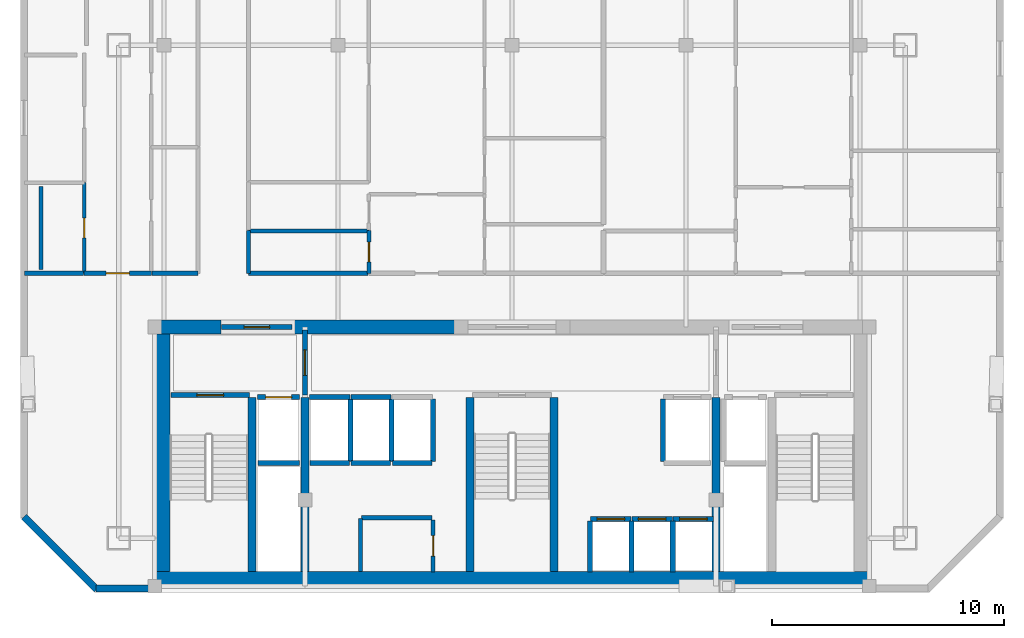
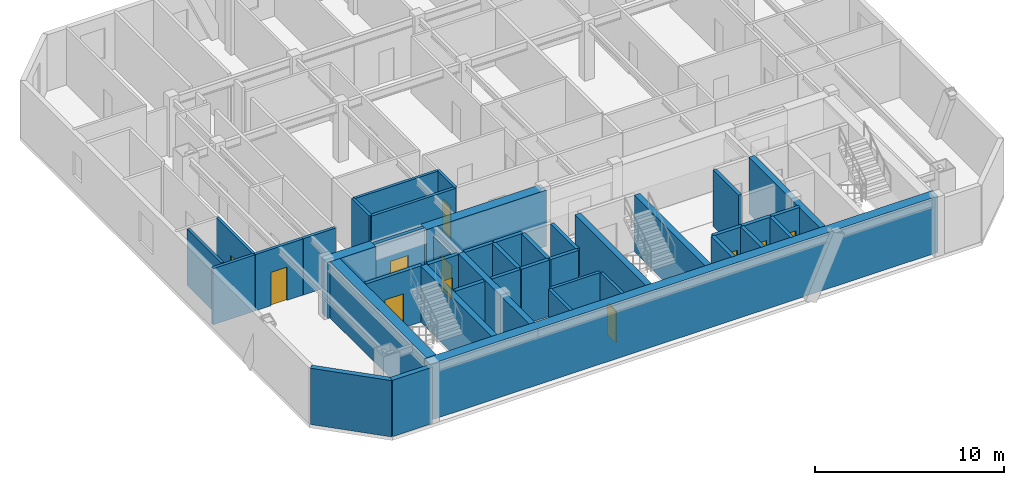
# One storey, part 2 of 7: 43 walls, 11 doors, 11 openings.
"""IFC4 building model written with IfcOpenShell, lengths in metres."""

import ifcopenshell
import ifcopenshell.guid

model = None  # the IFC model being written
_history = None  # IfcOwnerHistory: only IFC2X3 demands one
_inside = {}  # id of a spatial element -> (the spatial element, [elements in it])
_under = {}  # id of a project, library or spatial element -> (it, [spatial elements below it])
_declared = {}  # id of a project -> (the project, [libraries it declares])
_typed = {}  # id of a type object -> (the type object, [elements of that type])
_made_of = {}  # id of a material, layer set ... -> (it, [elements and type objects made of it])


def new_model(schema):
    """Start an empty IFC model of exactly this schema.

    Asked for "IFC4X3", IfcOpenShell would pick the latest addendum, in which some entities
    have other attributes; the version numbers below select the first issue.
    IFC2X3 requires an IfcOwnerHistory on every rooted entity: one is made here for all.
    """
    global model, _history
    if schema == "IFC4X3":
        model = ifcopenshell.file(schema_version=(4, 3, 0, 0))
    else:
        model = ifcopenshell.file(schema=schema)
    _inside.clear()
    _under.clear()
    _declared.clear()
    _typed.clear()
    _made_of.clear()
    _history = None
    if model.schema == "IFC2X3":
        org = make("IfcOrganization", Name="unknown")
        user = make(
            "IfcPersonAndOrganization",
            ThePerson=make("IfcPerson", FamilyName="unknown"),
            TheOrganization=org,
        )
        app = make(
            "IfcApplication",
            ApplicationDeveloper=org,
            Version="unknown",
            ApplicationFullName="unknown",
            ApplicationIdentifier="unknown",
        )
        _history = make(
            "IfcOwnerHistory",
            OwningUser=user,
            OwningApplication=app,
            ChangeAction="ADDED",
            CreationDate=0,
        )
    return model


def make(cls, **values):
    """One entity of the class cls with the attributes given. An attribute that is None is left unset."""
    return model.create_entity(
        cls, **{name: value for name, value in values.items() if value is not None}
    )


def rooted(cls, **values):
    """An entity with a GlobalId (a new one), such as an element, a storey or a relation."""
    return make(cls, GlobalId=ifcopenshell.guid.new(), OwnerHistory=_history, **values)


def si_unit(unit_type, name, prefix=None):
    """IfcSIUnit, for example si_unit("LENGTHUNIT", "METRE", prefix="MILLI")."""
    return make("IfcSIUnit", UnitType=unit_type, Prefix=prefix, Name=name)


def assignment(units):
    """IfcUnitAssignment: the units of a project."""
    return None if units is None else make("IfcUnitAssignment", Units=units)


def point(xyz):
    """IfcCartesianPoint."""
    return None if xyz is None else make("IfcCartesianPoint", Coordinates=xyz)


def direction(xyz):
    """IfcDirection."""
    return None if xyz is None else make("IfcDirection", DirectionRatios=xyz)


def frame(location, z_axis=None, x_axis=None):
    """IfcAxis2Placement3D, a coordinate frame: its origin and axes. An axis left out is left unset."""
    return make(
        "IfcAxis2Placement3D",
        Location=point(location),
        Axis=direction(z_axis),
        RefDirection=direction(x_axis),
    )


def frame_2d(location, x_axis=None):
    """IfcAxis2Placement2D, a coordinate frame in the plane: its origin and x axis."""
    return make(
        "IfcAxis2Placement2D", Location=point(location), RefDirection=direction(x_axis)
    )


def origin():
    """The frame at (0, 0, 0) with its axes left unset."""
    return frame((0.0, 0.0, 0.0))


def place(relative_to, where):
    """IfcLocalPlacement: puts the frame where relative to a parent placement (None: the world)."""
    return make(
        "IfcLocalPlacement", PlacementRelTo=relative_to, RelativePlacement=where
    )


def context(
    kind, dimensions, precision=None, world=None, true_north=None, identifier=None
):
    """IfcGeometricRepresentationContext, for example the 3D "Model" context."""
    return make(
        "IfcGeometricRepresentationContext",
        ContextIdentifier=identifier,
        ContextType=kind,
        CoordinateSpaceDimension=dimensions,
        Precision=precision,
        WorldCoordinateSystem=world,
        TrueNorth=true_north,
    )


def subcontext(parent, identifier, kind, view, scale=None):
    """IfcGeometricRepresentationSubContext, for example "Body" below "Model"."""
    return make(
        "IfcGeometricRepresentationSubContext",
        ContextIdentifier=identifier,
        ContextType=kind,
        ParentContext=parent,
        TargetScale=scale,
        TargetView=view,
    )


def project(units=None, contexts=None):
    """IfcProject with its units and contexts."""
    return rooted(
        "IfcProject",
        Name="project",
        RepresentationContexts=contexts,
        UnitsInContext=assignment(units),
    )


def spatial(cls, under=None, at=None, **own):
    """A site, building, storey or space (cls), placed at a placement, below another one or the project."""
    s = rooted(cls, ObjectPlacement=at, **own)
    if under is not None:
        _under.setdefault(under.id(), (under, []))[1].append(s)
    return s


def profile(cls, at=None, kind="AREA", **sizes):
    """A parametric profile (cls). Its sizes go by their IFC names, for example OverallWidth=200.0."""
    return make(cls, ProfileType=kind, Position=at, **sizes)


def rectangle(**sizes):
    """IfcRectangleProfileDef."""
    return profile("IfcRectangleProfileDef", **sizes)


def extrude(swept, where, along, depth):
    """IfcExtrudedAreaSolid: the profile swept, set in the frame where, extruded along a direction by depth."""
    return make(
        "IfcExtrudedAreaSolid",
        SweptArea=swept,
        Position=where,
        ExtrudedDirection=direction(along),
        Depth=depth,
    )


def shape(context_of_items, identifier, shape_type, items):
    """IfcShapeRepresentation: the items that make up one representation, for example the "Body"."""
    return make(
        "IfcShapeRepresentation",
        ContextOfItems=context_of_items,
        RepresentationIdentifier=identifier,
        RepresentationType=shape_type,
        Items=items,
    )


def material(Name=None, Category=None):
    """IfcMaterial."""
    return make("IfcMaterial", Name=Name, Category=Category)


def layer(
    of_material, thickness, ventilated=None, Name=None, Category=None, Priority=None
):
    """IfcMaterialLayer: one layer of a wall or slab, of a material (None: an air gap)."""
    return make(
        "IfcMaterialLayer",
        Material=of_material,
        LayerThickness=thickness,
        IsVentilated=ventilated,
        Name=Name,
        Category=Category,
        Priority=Priority,
    )


def layer_set(layers, Name=None):
    """IfcMaterialLayerSet."""
    return make("IfcMaterialLayerSet", MaterialLayers=layers, LayerSetName=Name)


def made_of(thing, what):
    """Note that an element or type object is made of a material, layer set ...; save() writes the relation."""
    if what is not None:
        _made_of.setdefault(what.id(), (what, []))[1].append(thing)
    return thing


def type_object(cls, material=None, **own):
    """A type object (cls), such as IfcWallType, which elements share."""
    return made_of(rooted(cls, **own), material)


def element(
    cls,
    number,
    at=None,
    inside=None,
    cuts=None,
    type_object=None,
    material=None,
    context=None,
    identifier="Body",
    shape_type=None,
    held_by="IfcProductDefinitionShape",
    body=None,
    shapes=None,
    **own,
):
    """One element of the class cls, such as IfcWall. Its Tag is "e" and its number.

    at: its placement. inside: the storey or other place that contains it. cuts: it is an
    opening in that element (IfcRelVoidsElement). A single representation is given by context,
    identifier, shape_type and body (its items); several are given by shapes. held_by: the class
    of the entity that holds the representations. save() writes the other relations.
    """
    e = rooted(cls, Tag="e%d" % number, ObjectPlacement=at, **own)
    if body is not None:
        shapes = [shape(context, identifier, shape_type, body)]
    if shapes is not None:
        e.Representation = make(held_by, Representations=shapes)
    if inside is not None:
        _inside.setdefault(inside.id(), (inside, []))[1].append(e)
    if cuts is not None:
        rooted(
            "IfcRelVoidsElement", RelatingBuildingElement=cuts, RelatedOpeningElement=e
        )
    if type_object is not None:
        _typed.setdefault(type_object.id(), (type_object, []))[1].append(e)
    return made_of(e, material)


def fill(opening, filler):
    """IfcRelFillsElement: the door or window that sits in an opening."""
    return rooted(
        "IfcRelFillsElement",
        RelatingOpeningElement=opening,
        RelatedBuildingElement=filler,
    )


def aggregate(whole, parts):
    """IfcRelAggregates: a whole, such as a stair, and the parts it consists of."""
    return rooted("IfcRelAggregates", RelatingObject=whole, RelatedObjects=parts)


def save(model, path):
    """Write the relations noted so far, then the file.

    IfcRelAggregates (storeys below a building ...), IfcRelContainedInSpatialStructure (elements
    in a storey), IfcRelDefinesByType, IfcRelAssociatesMaterial and IfcRelDeclares: one each for
    every whole, place, type object, material and project.
    """
    for whole, parts in _under.values():
        aggregate(whole, parts)
    for where, things in _inside.values():
        rooted(
            "IfcRelContainedInSpatialStructure",
            RelatedElements=things,
            RelatingStructure=where,
        )
    for kind, things in _typed.values():
        rooted("IfcRelDefinesByType", RelatedObjects=things, RelatingType=kind)
    for what, things in _made_of.values():
        rooted("IfcRelAssociatesMaterial", RelatedObjects=things, RelatingMaterial=what)
    for by, libraries in _declared.values():
        rooted("IfcRelDeclares", RelatingContext=by, RelatedDefinitions=libraries)
    model.write(path)


model = new_model("IFC4")

# Units and contexts
model_context = context("Model", 3, precision=1e-05, world=origin(), true_north=direction((0.0, 1.0)))
body_context = subcontext(model_context, "Body", "Model", "MODEL_VIEW")
ifc_project = project(units=[si_unit("LENGTHUNIT", "METRE"), si_unit("AREAUNIT", "SQUARE_METRE"), si_unit("VOLUMEUNIT", "CUBIC_METRE"), si_unit("PLANEANGLEUNIT", "RADIAN"), si_unit("MASSUNIT", "GRAM", prefix="KILO")], contexts=[model_context])

# Site, building, storey
site_placement = place(None, origin())
site = spatial("IfcSite", under=ifc_project, at=site_placement, CompositionType="ELEMENT")
building_placement = place(site_placement, origin())
building = spatial("IfcBuilding", under=site, at=building_placement, Name="Ventersveld Concourse Tower", CompositionType="ELEMENT")
storey_placement = place(building_placement, frame((0.0, 0.0, 234.949951171875)))
storey = spatial("IfcBuildingStorey", under=building, at=storey_placement, Name="L58", CompositionType="ELEMENT", Elevation=234.949951171875)

# Walls
ifc_material_1 = material(Name="Concrete C50/60", Category="concrete")
ifc_layer_1 = layer(ifc_material_1, 0.35009765625)
ifc_layer_set_1 = layer_set([ifc_layer_1], Name="Concrete C50/60")
wall_type_1 = type_object("IfcWallType", Name="WL-CORE-350U", PredefinedType="SHEAR", material=ifc_layer_set_1)
for number, where, z_axis, x_axis, name in (
    (1, (17.5400390625, 0.919921875, 0.0), (0.0, 0.0, 1.0), (0.0, 1.0, 0.0), "L58 Core Internal Shear Web W-ST1-E"),
    (2, (19.820068359375, 0.919921875, 0.0), (0.0, 0.0, 1.0), (0.0, 1.0, 0.0), "L58 Core Internal Shear Web W-FF1-E"),
    (3, (26.93994140625, 0.919921875, 0.0), (0.0, 0.0, 1.0), (0.0, 1.0, 0.0), "L58 Core Internal Shear Web W-ST3-W"),
    (4, (30.56005859375, 0.919921875, 0.0), (0.0, 0.0, 1.0), (0.0, 1.0, 0.0), "L58 Core Internal Shear Web W-ST3-E"),
    (5, (37.550048828125, 0.919921875, 0.0), (0.0, 0.0, 1.0), (0.0, 1.0, 0.0), "L58 Core Internal Shear Web W-SVL-W"),
):
    element("IfcWall", number, at=place(storey_placement, frame(where, z_axis=z_axis, x_axis=x_axis)), inside=storey, type_object=wall_type_1, Name=name, PredefinedType="SHEAR", context=body_context, shape_type="SweptSolid", body=[
        extrude(rectangle(XDim=7.5, YDim=0.35009765625, at=frame_2d((3.75, 0.0))), origin(), (0.0, 0.0, 1.0), 3.630126953125),
    ])
ifc_layer_2 = layer(ifc_material_1, 0.60009765625)
ifc_layer_set_2 = layer_set([ifc_layer_2], Name="Concrete C50/60")
wall_type_2 = type_object("IfcWallType", Name="WL-CORE-600", PredefinedType="SHEAR", material=ifc_layer_set_2)
wall_1_placement = place(storey_placement, frame((13.25, 0.6201171875, 0.0), z_axis=(0.0, 0.0, 1.0), x_axis=(1.0, 0.0, 0.0)))
element("IfcWall", 6, at=wall_1_placement, inside=storey, type_object=wall_type_2, Name="L58 Rear Core South Shear Wall", PredefinedType="SHEAR", context=body_context, shape_type="SweptSolid", body=[
    extrude(rectangle(XDim=31.0, YDim=0.60009765625, at=frame_2d((15.5, 0.0))), origin(), (0.0, 0.0, 1.0), 3.630126953125),
])
wall_2_placement = place(storey_placement, frame((13.699951171875, 0.919921875, 0.0), z_axis=(0.0, 0.0, 1.0), x_axis=(0.0, 1.0, 0.0)))
element("IfcWall", 7, at=wall_2_placement, inside=storey, type_object=wall_type_2, Name="L58 Rear Core West Shear Wall", PredefinedType="SHEAR", context=body_context, shape_type="SweptSolid", body=[
    extrude(rectangle(XDim=10.530029296875, YDim=0.60009765625, at=frame_2d((5.26513671875, 0.0))), origin(), (0.0, 0.0, 1.0), 3.630126953125),
])
wall_3_placement = place(storey_placement, frame((13.25, 11.449951171875, 0.0), z_axis=(0.0, 0.0, 1.0), x_axis=(1.0, 0.0, 0.0)))
element("IfcWall", 8, at=wall_3_placement, inside=storey, type_object=wall_type_2, Name="L58 Rear Core North Shear Wall NW", PredefinedType="SHEAR", context=body_context, shape_type="SweptSolid", body=[
    extrude(rectangle(XDim=2.949951171875, YDim=0.60009765625, at=frame_2d((1.47509765625, 0.0))), origin(), (0.0, 0.0, 1.0), 3.630126953125),
])
wall_4_placement = place(storey_placement, frame((19.300048828125, 11.449951171875, 0.0), z_axis=(0.0, 0.0, 1.0), x_axis=(1.0, 0.0, 0.0)))
element("IfcWall", 9, at=wall_4_placement, inside=storey, type_object=wall_type_2, Name="L58 Rear Core North Shear Wall NML", PredefinedType="SHEAR", context=body_context, shape_type="SweptSolid", body=[
    extrude(rectangle(XDim=7.300048828125, YDim=0.60009765625, at=frame_2d((3.64990234375, 0.0))), origin(), (0.0, 0.0, 1.0), 3.630126953125),
])

# Wall, opening, door
ifc_material_2 = material(Name="Fire-rated autoclaved aerated masonry blockwork", Category="masonry")
ifc_layer_3 = layer(ifc_material_2, 0.179931640625)
ifc_layer_set_3 = layer_set([ifc_layer_3], Name="Fire-rated autoclaved aerated masonry blockwork")
wall_type_3 = type_object("IfcWallType", Name="WL-CORR-180", PredefinedType="PARTITIONING", material=ifc_layer_set_3)
wall_5_placement = place(storey_placement, frame((25.35009765625, 0.89990234375, 0.0), z_axis=(0.0, 0.0, 1.0), x_axis=(0.0, 1.0, 0.0)))
wall_5 = element("IfcWall", 10, at=wall_5_placement, inside=storey, type_object=wall_type_3, Name="L58 Core Passage Wall SP-L58-RECB1", PredefinedType="PARTITIONING", context=body_context, shape_type="SweptSolid", body=[
    extrude(rectangle(XDim=2.239990234375, YDim=0.179931640625, at=frame_2d((1.1201171875, 0.0))), origin(), (0.0, 0.0, 1.0), 3.630126953125),
])
opening_1_placement = place(wall_5_placement, frame((0.679931640625, 0.0, 0.0)))
opening_1 = element("IfcOpeningElement", 11, at=opening_1_placement, cuts=wall_5, Name="Opening FD5", PredefinedType="OPENING", context=body_context, shape_type="SweptSolid", body=[
    extrude(rectangle(XDim=0.8798828125, YDim=2.050048828125, at=frame_2d((0.43994140625, 1.02490234375))), frame((0.0, 0.10009765625, 0.0), z_axis=(0.0, -1.0, 0.0), x_axis=(1.0, 0.0, 0.0)), (0.0, 0.0, 1.0), 0.199951171875),
])
ifc_material_3 = material(Name="Galvanised painted steel", Category="steel")
door_type_1 = type_object("IfcDoorType", Name="DR-RISER-088", OperationType="NOTDEFINED", PredefinedType="DOOR", material=ifc_material_3)
door_1_placement = place(opening_1_placement, origin())
door_1 = element("IfcDoor", 12, at=door_1_placement, inside=storey, type_object=door_type_1, Name="L58 Core Room Door L58 Reclaimed Core Residents Reading Room (CD-L58-2784)", OperationType="SINGLE_SWING_LEFT", OverallHeight=2.050048828125, OverallWidth=0.8798828125, PredefinedType="DOOR", context=body_context, shape_type="SweptSolid", body=[
    extrude(rectangle(XDim=0.8798828125, YDim=2.050048828125, at=frame_2d((0.43994140625, 1.02490234375))), frame((0.0, 0.02490234375, 0.0), z_axis=(0.0, -1.0, 0.0), x_axis=(1.0, 0.0, 0.0)), (0.0, 0.0, 1.0), 0.050048828125),
])
fill(opening_1, door_1)

# Walls
wall_6_placement = place(storey_placement, frame((22.260009765625, 3.22998046875, 0.0), z_axis=(0.0, 0.0, 1.0), x_axis=(1.0, 0.0, 0.0)))
element("IfcWall", 13, at=wall_6_placement, inside=storey, type_object=wall_type_3, Name="L58 Core Top Wall SP-L58-RECB1", PredefinedType="PARTITIONING", context=body_context, shape_type="SweptSolid", body=[
    extrude(rectangle(XDim=3.0400390625, YDim=0.179931640625, at=frame_2d((1.52001953125, 0.0))), origin(), (0.0, 0.0, 1.0), 3.630126953125),
])
wall_7_placement = place(storey_placement, frame((22.219970703125, 0.909912109375, 0.0), z_axis=(0.0, 0.0, 1.0), x_axis=(0.0, 1.0, 0.0)))
element("IfcWall", 14, at=wall_7_placement, inside=storey, type_object=wall_type_3, Name="L58 Core West Wall SP-L58-RECB1", PredefinedType="PARTITIONING", context=body_context, shape_type="SweptSolid", body=[
    extrude(rectangle(XDim=2.280029296875, YDim=0.179931640625, at=frame_2d((1.14013671875, 0.0))), origin(), (0.0, 0.0, 1.0), 3.630126953125),
])

# Wall, opening, door
wall_8_placement = place(storey_placement, frame((10.30908203125, 13.77001953125, 0.0), z_axis=(0.0, 0.0, 1.0), x_axis=(1.0, 0.0, 0.0)))
wall_8 = element("IfcWall", 15, at=wall_8_placement, inside=storey, type_object=wall_type_3, Name="L58 Interior Partition SP-L58-COR-SP-L58-58NW-LIV", PredefinedType="PARTITIONING", context=body_context, shape_type="SweptSolid", body=[
    extrude(rectangle(XDim=2.897705078125, YDim=0.179931640625, at=frame_2d((1.44873046875, 0.0))), origin(), (0.0, 0.0, 1.0), 3.630126953125),
])
opening_2_placement = place(wall_8_placement, frame((0.948974609375, 0.0, 0.0)))
opening_2 = element("IfcOpeningElement", 16, at=opening_2_placement, cuts=wall_8, Name="Opening FD3", PredefinedType="OPENING", context=body_context, shape_type="SweptSolid", body=[
    extrude(rectangle(XDim=1.0, YDim=2.14990234375, at=frame_2d((0.5, 1.074951171875))), frame((0.0, 0.10009765625, 0.0), z_axis=(0.0, -1.0, 0.0), x_axis=(1.0, 0.0, 0.0)), (0.0, 0.0, 1.0), 0.199951171875),
])
ifc_material_4 = material(Name="Solid-core hardwood veneer timber", Category="wood")
door_type_2 = type_object("IfcDoorType", Name="DR-FLAT-100", OperationType="NOTDEFINED", PredefinedType="DOOR", material=ifc_material_4)
door_2_placement = place(opening_2_placement, origin())
door_2 = element("IfcDoor", 17, at=door_2_placement, inside=storey, type_object=door_type_2, Name="L58 Interior Door SP-L58-COR to SP-L58-58NW-LIV (FD-L58-2785)", OperationType="SINGLE_SWING_LEFT", OverallHeight=2.14990234375, OverallWidth=1.0, PredefinedType="DOOR", context=body_context, shape_type="SweptSolid", body=[
    extrude(rectangle(XDim=1.0, YDim=2.14990234375, at=frame_2d((0.5, 1.074951171875))), frame((0.0, 0.02490234375, 0.0), z_axis=(0.0, -1.0, 0.0), x_axis=(1.0, 0.0, 0.0)), (0.0, 0.0, 1.0), 0.050048828125),
])
fill(opening_2, door_2)

# Walls
wall_9_placement = place(storey_placement, frame((7.74365234375, 13.77001953125, 0.0), z_axis=(0.0, 0.0, 1.0), x_axis=(1.0, 0.0, 0.0)))
element("IfcWall", 18, at=wall_9_placement, inside=storey, type_object=wall_type_3, Name="L58 Interior Partition SP-L58-COR-SP-L58-58NW-BATH", PredefinedType="PARTITIONING", context=body_context, shape_type="SweptSolid", body=[
    extrude(rectangle(XDim=2.535400390625, YDim=0.179931640625, at=frame_2d((1.267578125, 0.0))), origin(), (0.0, 0.0, 1.0), 3.630126953125),
])
wall_10_placement = place(storey_placement, frame((13.23681640625, 13.77001953125, 0.0), z_axis=(0.0, 0.0, 1.0), x_axis=(1.0, 0.0, 0.0)))
element("IfcWall", 19, at=wall_10_placement, inside=storey, type_object=wall_type_3, Name="L58 Interior Partition SP-L58-COR-SP-L58-58NW-KIT", PredefinedType="PARTITIONING", context=body_context, shape_type="SweptSolid", body=[
    extrude(rectangle(XDim=1.978271484375, YDim=0.179931640625, at=frame_2d((0.9892578125, 0.0))), origin(), (0.0, 0.0, 1.0), 3.630126953125),
])
wall_11_placement = place(storey_placement, frame((17.385009765625, 13.77001953125, 0.0), z_axis=(0.0, 0.0, 1.0), x_axis=(1.0, 0.0, 0.0)))
element("IfcWall", 20, at=wall_11_placement, inside=storey, type_object=wall_type_3, Name="L58 Interior Partition SP-L58-COR-SP-L58-58N1-BATH", PredefinedType="PARTITIONING", context=body_context, shape_type="SweptSolid", body=[
    extrude(rectangle(XDim=5.1640625, YDim=0.179931640625, at=frame_2d((2.58203125, 0.0))), origin(), (0.0, 0.0, 1.0), 3.630126953125),
])
wall_12_placement = place(storey_placement, frame((17.389892578125, 13.764892578125, 0.0), z_axis=(0.0, 0.0, 1.0), x_axis=(0.0, 1.0, 0.0)))
element("IfcWall", 21, at=wall_12_placement, inside=storey, type_object=wall_type_3, Name="L58 Interior Partition SP-L58-COR-SP-L58-58N1-BATH", PredefinedType="PARTITIONING", context=body_context, shape_type="SweptSolid", body=[
    extrude(rectangle(XDim=1.840087890625, YDim=0.179931640625, at=frame_2d((0.919921875, 0.0))), origin(), (0.0, 0.0, 1.0), 3.630126953125),
])
ifc_layer_4 = layer(ifc_material_2, 0.219970703125)
ifc_layer_set_4 = layer_set([ifc_layer_4], Name="Fire-rated autoclaved aerated masonry blockwork")
wall_type_4 = type_object("IfcWallType", Name="WL-HOIST-220", PredefinedType="SOLIDWALL", material=ifc_layer_set_4)
wall_13_placement = place(storey_placement, frame((17.800048828125, 5.590087890625, 0.0), z_axis=(0.0, 0.0, 1.0), x_axis=(1.0, 0.0, 0.0)))
element("IfcWall", 22, at=wall_13_placement, inside=storey, type_object=wall_type_4, Name="L58 Lift Hoistway Back Wall FFL-01", PredefinedType="SOLIDWALL", context=body_context, shape_type="SweptSolid", body=[
    extrude(rectangle(XDim=1.780029296875, YDim=0.219970703125, at=frame_2d((0.89013671875, 0.0))), origin(), (0.0, 0.0, 1.0), 3.630126953125),
])

# Wall, opening, door
wall_14_placement = place(storey_placement, frame((17.780029296875, 8.429931640625, 0.0), z_axis=(0.0, 0.0, 1.0), x_axis=(1.0, 0.0, 0.0)))
wall_14 = element("IfcWall", 23, at=wall_14_placement, inside=storey, type_object=wall_type_4, Name="L58 Lift Hoistway Front Wall FFL-01", PredefinedType="SOLIDWALL", context=body_context, shape_type="SweptSolid", body=[
    extrude(rectangle(XDim=1.820068359375, YDim=0.219970703125, at=frame_2d((0.91015625, 0.0))), origin(), (0.0, 0.0, 1.0), 3.630126953125),
])
opening_3_placement = place(wall_14_placement, frame((0.35009765625, 0.0, 0.0)))
opening_3 = element("IfcOpeningElement", 24, at=opening_3_placement, cuts=wall_14, Name="Opening LD1", PredefinedType="OPENING", context=body_context, shape_type="SweptSolid", body=[
    extrude(rectangle(XDim=1.1201171875, YDim=2.25, at=frame_2d((0.56005859375, 1.125))), frame((0.0, 0.1201171875, 0.0), z_axis=(0.0, -1.0, 0.0), x_axis=(1.0, 0.0, 0.0)), (0.0, 0.0, 1.0), 0.239990234375),
])
ifc_material_5 = material(Name="Brushed stainless steel 316", Category="steel")
door_type_3 = type_object("IfcDoorType", Name="LD-FF-112", OperationType="SLIDING_TO_LEFT", PredefinedType="DOOR", material=ifc_material_5)
door_3_placement = place(opening_3_placement, origin())
door_3 = element("IfcDoor", 25, at=door_3_placement, inside=storey, type_object=door_type_3, Name="L58 Lift landing door FFL-01 (LD-L58-FFL-01)", OperationType="SLIDING_TO_LEFT", OverallHeight=2.25, OverallWidth=1.1201171875, PredefinedType="DOOR", context=body_context, shape_type="SweptSolid", body=[
    extrude(rectangle(XDim=1.1201171875, YDim=2.25, at=frame_2d((0.56005859375, 1.125))), frame((0.0, 0.02490234375, 0.0), z_axis=(0.0, -1.0, 0.0), x_axis=(1.0, 0.0, 0.0)), (0.0, 0.0, 1.0), 0.050048828125),
])
fill(opening_3, door_3)

# Walls
wall_15_placement = place(storey_placement, frame((35.260009765625, 5.64990234375, 0.0), z_axis=(0.0, 0.0, 1.0), x_axis=(0.0, 1.0, 0.0)))
element("IfcWall", 26, at=wall_15_placement, inside=storey, type_object=wall_type_4, Name="L58 Lift Hoistway Side Wall SVL-01W", PredefinedType="SOLIDWALL", context=body_context, shape_type="SweptSolid", body=[
    extrude(rectangle(XDim=2.7001953125, YDim=0.219970703125, at=frame_2d((1.35009765625, 0.0))), origin(), (0.0, 0.0, 1.0), 3.630126953125),
])
for number, where, z_axis, x_axis, name in (
    (27, (32.1201171875, 0.89990234375, 0.0), (0.0, 0.0, 1.0), (0.0, 1.0, 0.0), "L58 Lift Hoistway Side Wall PM-01W"),
    (28, (33.89990234375, 0.89990234375, 0.0), (0.0, 0.0, 1.0), (0.0, 1.0, 0.0), "L58 Lift Hoistway Side Wall PM-01E"),
):
    element("IfcWall", number, at=place(storey_placement, frame(where, z_axis=z_axis, x_axis=x_axis)), inside=storey, type_object=wall_type_4, Name=name, PredefinedType="SOLIDWALL", context=body_context, shape_type="SweptSolid", body=[
        extrude(rectangle(XDim=2.2001953125, YDim=0.219970703125, at=frame_2d((1.10009765625, 0.0))), origin(), (0.0, 0.0, 1.0), 3.630126953125),
    ])

# Wall, opening, door
wall_16_placement = place(storey_placement, frame((32.139892578125, 3.179931640625, 0.0), z_axis=(0.0, 0.0, 1.0), x_axis=(1.0, 0.0, 0.0)))
wall_16 = element("IfcWall", 29, at=wall_16_placement, inside=storey, type_object=wall_type_4, Name="L58 Lift Hoistway Front Wall PM-01", PredefinedType="SOLIDWALL", context=body_context, shape_type="SweptSolid", body=[
    extrude(rectangle(XDim=1.739990234375, YDim=0.219970703125, at=frame_2d((0.8701171875, 0.0))), origin(), (0.0, 0.0, 1.0), 3.630126953125),
])
opening_4_placement = place(wall_16_placement, frame((0.280029296875, 0.0, 0.0)))
opening_4 = element("IfcOpeningElement", 30, at=opening_4_placement, cuts=wall_16, Name="Opening LD2", PredefinedType="OPENING", context=body_context, shape_type="SweptSolid", body=[
    extrude(rectangle(XDim=1.179931640625, YDim=2.199951171875, at=frame_2d((0.58984375, 1.10009765625))), frame((0.0, 0.1201171875, 0.0), z_axis=(0.0, -1.0, 0.0), x_axis=(1.0, 0.0, 0.0)), (0.0, 0.0, 1.0), 0.239990234375),
])
door_type_4 = type_object("IfcDoorType", Name="LD-PAX-118", OperationType="SLIDING_TO_LEFT", PredefinedType="DOOR", material=ifc_material_5)
door_4_placement = place(opening_4_placement, origin())
door_4 = element("IfcDoor", 31, at=door_4_placement, inside=storey, type_object=door_type_4, Name="L58 Lift landing door PM-01 (LD-L58-PM-01)", OperationType="SLIDING_TO_RIGHT", OverallHeight=2.199951171875, OverallWidth=1.179931640625, PredefinedType="DOOR", context=body_context, shape_type="SweptSolid", body=[
    extrude(rectangle(XDim=1.179931640625, YDim=2.199951171875, at=frame_2d((0.58984375, 1.10009765625))), frame((0.0, 0.02490234375, 0.0), z_axis=(0.0, -1.0, 0.0), x_axis=(1.0, 0.0, 0.0)), (0.0, 0.0, 1.0), 0.050048828125),
])
fill(opening_4, door_4)

# Wall
wall_17_placement = place(storey_placement, frame((35.679931640625, 0.89990234375, 0.0), z_axis=(0.0, 0.0, 1.0), x_axis=(0.0, 1.0, 0.0)))
element("IfcWall", 32, at=wall_17_placement, inside=storey, type_object=wall_type_4, Name="L58 Lift Hoistway Side Wall PM-02E", PredefinedType="SOLIDWALL", context=body_context, shape_type="SweptSolid", body=[
    extrude(rectangle(XDim=2.2001953125, YDim=0.219970703125, at=frame_2d((1.10009765625, 0.0))), origin(), (0.0, 0.0, 1.0), 3.630126953125),
])

# Wall, opening, door
wall_18_placement = place(storey_placement, frame((33.919921875, 3.179931640625, 0.0), z_axis=(0.0, 0.0, 1.0), x_axis=(1.0, 0.0, 0.0)))
wall_18 = element("IfcWall", 33, at=wall_18_placement, inside=storey, type_object=wall_type_4, Name="L58 Lift Hoistway Front Wall PM-02", PredefinedType="SOLIDWALL", context=body_context, shape_type="SweptSolid", body=[
    extrude(rectangle(XDim=1.739990234375, YDim=0.219970703125, at=frame_2d((0.8701171875, 0.0))), origin(), (0.0, 0.0, 1.0), 3.630126953125),
])
opening_5_placement = place(wall_18_placement, frame((0.280029296875, 0.0, 0.0)))
opening_5 = element("IfcOpeningElement", 34, at=opening_5_placement, cuts=wall_18, Name="Opening LD2", PredefinedType="OPENING", context=body_context, shape_type="SweptSolid", body=[
    extrude(rectangle(XDim=1.179931640625, YDim=2.199951171875, at=frame_2d((0.58984375, 1.10009765625))), frame((0.0, 0.1201171875, 0.0), z_axis=(0.0, -1.0, 0.0), x_axis=(1.0, 0.0, 0.0)), (0.0, 0.0, 1.0), 0.239990234375),
])
door_5_placement = place(opening_5_placement, origin())
door_5 = element("IfcDoor", 35, at=door_5_placement, inside=storey, type_object=door_type_4, Name="L58 Lift landing door PM-02 (LD-L58-PM-02)", OperationType="SLIDING_TO_LEFT", OverallHeight=2.199951171875, OverallWidth=1.179931640625, PredefinedType="DOOR", context=body_context, shape_type="SweptSolid", body=[
    extrude(rectangle(XDim=1.179931640625, YDim=2.199951171875, at=frame_2d((0.58984375, 1.10009765625))), frame((0.0, 0.02490234375, 0.0), z_axis=(0.0, -1.0, 0.0), x_axis=(1.0, 0.0, 0.0)), (0.0, 0.0, 1.0), 0.050048828125),
])
fill(opening_5, door_5)

wall_19_placement = place(storey_placement, frame((35.699951171875, 3.179931640625, 0.0), z_axis=(0.0, 0.0, 1.0), x_axis=(1.0, 0.0, 0.0)))
wall_19 = element("IfcWall", 36, at=wall_19_placement, inside=storey, type_object=wall_type_4, Name="L58 Lift Hoistway Front Wall PM-03", PredefinedType="SOLIDWALL", context=body_context, shape_type="SweptSolid", body=[
    extrude(rectangle(XDim=1.739990234375, YDim=0.219970703125, at=frame_2d((0.8701171875, 0.0))), origin(), (0.0, 0.0, 1.0), 3.630126953125),
])
opening_6_placement = place(wall_19_placement, frame((0.280029296875, 0.0, 0.0)))
opening_6 = element("IfcOpeningElement", 37, at=opening_6_placement, cuts=wall_19, Name="Opening LD2", PredefinedType="OPENING", context=body_context, shape_type="SweptSolid", body=[
    extrude(rectangle(XDim=1.179931640625, YDim=2.199951171875, at=frame_2d((0.58984375, 1.10009765625))), frame((0.0, 0.1201171875, 0.0), z_axis=(0.0, -1.0, 0.0), x_axis=(1.0, 0.0, 0.0)), (0.0, 0.0, 1.0), 0.239990234375),
])
door_6_placement = place(opening_6_placement, origin())
door_6 = element("IfcDoor", 38, at=door_6_placement, inside=storey, type_object=door_type_4, Name="L58 Lift landing door PM-03 (LD-L58-PM-03)", OperationType="SLIDING_TO_RIGHT", OverallHeight=2.199951171875, OverallWidth=1.179931640625, PredefinedType="DOOR", context=body_context, shape_type="SweptSolid", body=[
    extrude(rectangle(XDim=1.179931640625, YDim=2.199951171875, at=frame_2d((0.58984375, 1.10009765625))), frame((0.0, 0.02490234375, 0.0), z_axis=(0.0, -1.0, 0.0), x_axis=(1.0, 0.0, 0.0)), (0.0, 0.0, 1.0), 0.050048828125),
])
fill(opening_6, door_6)

# Walls
wall_20_placement = place(storey_placement, frame((20.0400390625, 5.590087890625, 0.0), z_axis=(0.0, 0.0, 1.0), x_axis=(1.0, 0.0, 0.0)))
element("IfcWall", 39, at=wall_20_placement, inside=storey, type_object=wall_type_4, Name="L58 Lift Hoistway Back Wall PH-01", PredefinedType="SOLIDWALL", context=body_context, shape_type="SweptSolid", body=[
    extrude(rectangle(XDim=1.699951171875, YDim=0.219970703125, at=frame_2d((0.85009765625, 0.0))), origin(), (0.0, 0.0, 1.0), 3.630126953125),
])
wall_21_placement = place(storey_placement, frame((21.780029296875, 5.64990234375, 0.0), z_axis=(0.0, 0.0, 1.0), x_axis=(0.0, 1.0, 0.0)))
element("IfcWall", 40, at=wall_21_placement, inside=storey, type_object=wall_type_4, Name="L58 Lift Hoistway Side Wall PH-01E", PredefinedType="SOLIDWALL", context=body_context, shape_type="SweptSolid", body=[
    extrude(rectangle(XDim=2.7001953125, YDim=0.219970703125, at=frame_2d((1.35009765625, 0.0))), origin(), (0.0, 0.0, 1.0), 3.630126953125),
])
wall_22_placement = place(storey_placement, frame((20.02001953125, 8.429931640625, 0.0), z_axis=(0.0, 0.0, 1.0), x_axis=(1.0, 0.0, 0.0)))
element("IfcWall", 41, at=wall_22_placement, inside=storey, type_object=wall_type_4, Name="L58 Lift Hoistway Front Wall PH-01", PredefinedType="SOLIDWALL", context=body_context, shape_type="SweptSolid", body=[
    extrude(rectangle(XDim=1.739990234375, YDim=0.219970703125, at=frame_2d((0.8701171875, 0.0))), origin(), (0.0, 0.0, 1.0), 3.630126953125),
])
wall_23_placement = place(storey_placement, frame((21.820068359375, 5.590087890625, 0.0), z_axis=(0.0, 0.0, 1.0), x_axis=(1.0, 0.0, 0.0)))
element("IfcWall", 42, at=wall_23_placement, inside=storey, type_object=wall_type_4, Name="L58 Lift Hoistway Back Wall PH-02", PredefinedType="SOLIDWALL", context=body_context, shape_type="SweptSolid", body=[
    extrude(rectangle(XDim=1.699951171875, YDim=0.219970703125, at=frame_2d((0.85009765625, 0.0))), origin(), (0.0, 0.0, 1.0), 3.630126953125),
])
wall_24_placement = place(storey_placement, frame((23.56005859375, 5.64990234375, 0.0), z_axis=(0.0, 0.0, 1.0), x_axis=(0.0, 1.0, 0.0)))
element("IfcWall", 43, at=wall_24_placement, inside=storey, type_object=wall_type_4, Name="L58 Lift Hoistway Side Wall PH-02E", PredefinedType="SOLIDWALL", context=body_context, shape_type="SweptSolid", body=[
    extrude(rectangle(XDim=2.7001953125, YDim=0.219970703125, at=frame_2d((1.35009765625, 0.0))), origin(), (0.0, 0.0, 1.0), 3.630126953125),
])
wall_25_placement = place(storey_placement, frame((21.800048828125, 8.429931640625, 0.0), z_axis=(0.0, 0.0, 1.0), x_axis=(1.0, 0.0, 0.0)))
element("IfcWall", 44, at=wall_25_placement, inside=storey, type_object=wall_type_4, Name="L58 Lift Hoistway Front Wall PH-02", PredefinedType="SOLIDWALL", context=body_context, shape_type="SweptSolid", body=[
    extrude(rectangle(XDim=1.739990234375, YDim=0.219970703125, at=frame_2d((0.8701171875, 0.0))), origin(), (0.0, 0.0, 1.0), 3.630126953125),
])
wall_26_placement = place(storey_placement, frame((23.60009765625, 5.590087890625, 0.0), z_axis=(0.0, 0.0, 1.0), x_axis=(1.0, 0.0, 0.0)))
element("IfcWall", 45, at=wall_26_placement, inside=storey, type_object=wall_type_4, Name="L58 Lift Hoistway Back Wall PH-03", PredefinedType="SOLIDWALL", context=body_context, shape_type="SweptSolid", body=[
    extrude(rectangle(XDim=1.699951171875, YDim=0.219970703125, at=frame_2d((0.85009765625, 0.0))), origin(), (0.0, 0.0, 1.0), 3.630126953125),
])
wall_27_placement = place(storey_placement, frame((25.340087890625, 5.64990234375, 0.0), z_axis=(0.0, 0.0, 1.0), x_axis=(0.0, 1.0, 0.0)))
element("IfcWall", 46, at=wall_27_placement, inside=storey, type_object=wall_type_4, Name="L58 Lift Hoistway Side Wall PH-03E", PredefinedType="SOLIDWALL", context=body_context, shape_type="SweptSolid", body=[
    extrude(rectangle(XDim=2.7001953125, YDim=0.219970703125, at=frame_2d((1.35009765625, 0.0))), origin(), (0.0, 0.0, 1.0), 3.630126953125),
])

# Wall, opening, door
wall_28_placement = place(storey_placement, frame((14.0400390625, 8.52001953125, 0.0), z_axis=(0.0, 0.0, 1.0), x_axis=(1.0, 0.0, 0.0)))
wall_28 = element("IfcWall", 47, at=wall_28_placement, inside=storey, type_object=wall_type_4, Name="L58 Escape Stair ST01 Fire Wall", PredefinedType="SOLIDWALL", context=body_context, shape_type="SweptSolid", body=[
    extrude(rectangle(XDim=3.39990234375, YDim=0.219970703125, at=frame_2d((1.699951171875, 0.0))), origin(), (0.0, 0.0, 1.0), 3.630126953125),
])
opening_7_placement = place(wall_28_placement, frame((1.125, 0.0, 0.0)))
opening_7 = element("IfcOpeningElement", 48, at=opening_7_placement, cuts=wall_28, Name="Opening FD1", PredefinedType="OPENING", context=body_context, shape_type="SweptSolid", body=[
    extrude(rectangle(XDim=1.14990234375, YDim=2.199951171875, at=frame_2d((0.574951171875, 1.10009765625))), frame((0.0, 0.1201171875, 0.0), z_axis=(0.0, -1.0, 0.0), x_axis=(1.0, 0.0, 0.0)), (0.0, 0.0, 1.0), 0.239990234375),
])
door_type_5 = type_object("IfcDoorType", Name="DR-STAIR-115", OperationType="NOTDEFINED", PredefinedType="DOOR", material=ifc_material_3)
door_7_placement = place(opening_7_placement, origin())
door_7 = element("IfcDoor", 49, at=door_7_placement, inside=storey, type_object=door_type_5, Name="L58 Escape Stair Door ST01 (SD-L58-2776)", OperationType="SINGLE_SWING_LEFT", OverallHeight=2.199951171875, OverallWidth=1.14990234375, PredefinedType="DOOR", context=body_context, shape_type="SweptSolid", body=[
    extrude(rectangle(XDim=1.14990234375, YDim=2.199951171875, at=frame_2d((0.574951171875, 1.10009765625))), frame((0.0, 0.02490234375, 0.0), z_axis=(0.0, -1.0, 0.0), x_axis=(1.0, 0.0, 0.0)), (0.0, 0.0, 1.0), 0.050048828125),
])
fill(opening_7, door_7)

wall_29_placement = place(storey_placement, frame((19.820068359375, 8.52001953125, 0.0), z_axis=(0.0, 0.0, 1.0), x_axis=(0.0, 1.0, 0.0)))
wall_29 = element("IfcWall", 50, at=wall_29_placement, inside=storey, type_object=wall_type_4, Name="L58 Firefighting Lobby Smoke-Stop Wall FFLW-SEP", PredefinedType="SOLIDWALL", context=body_context, shape_type="SweptSolid", body=[
    extrude(rectangle(XDim=2.800048828125, YDim=0.219970703125, at=frame_2d((1.39990234375, 0.0))), origin(), (0.0, 0.0, 1.0), 3.08544921875),
])
opening_8_placement = place(wall_29_placement, frame((0.85009765625, 0.0, 0.0)))
opening_8 = element("IfcOpeningElement", 51, at=opening_8_placement, cuts=wall_29, Name="Opening FD2", PredefinedType="OPENING", context=body_context, shape_type="SweptSolid", body=[
    extrude(rectangle(XDim=1.10009765625, YDim=2.199951171875, at=frame_2d((0.550048828125, 1.10009765625))), frame((0.0, 0.1201171875, 0.0), z_axis=(0.0, -1.0, 0.0), x_axis=(1.0, 0.0, 0.0)), (0.0, 0.0, 1.0), 0.239990234375),
])
door_type_6 = type_object("IfcDoorType", Name="DR-FFL-110", OperationType="NOTDEFINED", PredefinedType="DOOR", material=ifc_material_3)
door_8_placement = place(opening_8_placement, origin())
door_8 = element("IfcDoor", 52, at=door_8_placement, inside=storey, type_object=door_type_6, Name="L58 Firefighting Lobby Door FFLW-SEP (FD-L58-2779)", OperationType="SINGLE_SWING_LEFT", OverallHeight=2.199951171875, OverallWidth=1.10009765625, PredefinedType="DOOR", context=body_context, shape_type="SweptSolid", body=[
    extrude(rectangle(XDim=1.10009765625, YDim=2.199951171875, at=frame_2d((0.550048828125, 1.10009765625))), frame((0.0, 0.02490234375, 0.0), z_axis=(0.0, -1.0, 0.0), x_axis=(1.0, 0.0, 0.0)), (0.0, 0.0, 1.0), 0.050048828125),
])
fill(opening_8, door_8)

wall_30_placement = place(storey_placement, frame((16.22998046875, 11.449951171875, 0.0), z_axis=(0.0, 0.0, 1.0), x_axis=(1.0, 0.0, 0.0)))
wall_30 = element("IfcWall", 53, at=wall_30_placement, inside=storey, type_object=wall_type_4, Name="L58 Core North Fire Portal FFLW-OUT", PredefinedType="SOLIDWALL", context=body_context, shape_type="SweptSolid", body=[
    extrude(rectangle(XDim=3.0400390625, YDim=0.219970703125, at=frame_2d((1.52001953125, 0.0))), origin(), (0.0, 0.0, 1.0), 3.630126953125),
])
opening_9_placement = place(wall_30_placement, frame((0.969970703125, 0.0, 0.0)))
opening_9 = element("IfcOpeningElement", 54, at=opening_9_placement, cuts=wall_30, Name="Opening FD2", PredefinedType="OPENING", context=body_context, shape_type="SweptSolid", body=[
    extrude(rectangle(XDim=1.10009765625, YDim=2.199951171875, at=frame_2d((0.550048828125, 1.10009765625))), frame((0.0, 0.1201171875, 0.0), z_axis=(0.0, -1.0, 0.0), x_axis=(1.0, 0.0, 0.0)), (0.0, 0.0, 1.0), 0.239990234375),
])
door_9_placement = place(opening_9_placement, origin())
door_9 = element("IfcDoor", 55, at=door_9_placement, inside=storey, type_object=door_type_6, Name="L58 Core Lobby Fire Door FFLW-OUT (FD-L58-2781)", OperationType="SINGLE_SWING_RIGHT", OverallHeight=2.199951171875, OverallWidth=1.10009765625, PredefinedType="DOOR", context=body_context, shape_type="SweptSolid", body=[
    extrude(rectangle(XDim=1.10009765625, YDim=2.199951171875, at=frame_2d((0.550048828125, 1.10009765625))), frame((0.0, 0.02490234375, 0.0), z_axis=(0.0, -1.0, 0.0), x_axis=(1.0, 0.0, 0.0)), (0.0, 0.0, 1.0), 0.050048828125),
])
fill(opening_9, door_9)

# Walls
ifc_material_6 = material(Name="Precast concrete C45/55", Category="concrete")
ifc_layer_5 = layer(ifc_material_6, 0.300048828125)
ifc_layer_set_5 = layer_set([ifc_layer_5], Name="Precast concrete C45/55")
wall_type_5 = type_object("IfcWallType", Name="WL-PREC-300", PredefinedType="SOLIDWALL", material=ifc_layer_set_5)
wall_31_placement = place(storey_placement, frame((10.81103515625, 0.179931640625, 0.0), z_axis=(0.0, 0.0, 1.0), x_axis=(1.0, 0.0, 0.0)))
element("IfcWall", 56, at=wall_31_placement, inside=storey, type_object=wall_type_5, Name="L58 South-West Flank Precast Wall", PredefinedType="SOLIDWALL", context=body_context, shape_type="SweptSolid", body=[
    extrude(rectangle(XDim=2.43896484375, YDim=0.300048828125, at=frame_2d((1.219482421875, 0.0))), origin(), (0.0, 0.0, 1.0), 3.630126953125),
])
wall_32_placement = place(storey_placement, frame((7.70556640625, 3.27783203125, 0.0), z_axis=(0.0, 0.0, 1.0), x_axis=(0.707106781187, -0.707106781187, 0.0)))
element("IfcWall", 57, at=wall_32_placement, inside=storey, type_object=wall_type_5, Name="L58 Highveld Precast Facade Wall E08", PredefinedType="SOLIDWALL", context=body_context, shape_type="SweptSolid", body=[
    extrude(rectangle(XDim=4.4453125, YDim=0.300048828125, at=frame_2d((2.22265625, 0.0))), origin(), (0.0, 0.0, 1.0), 3.630126953125),
])

# Wall, opening, door
ifc_material_7 = material(Name="Autoclaved aerated masonry blockwork", Category="masonry")
ifc_layer_6 = layer(ifc_material_7, 0.1650390625)
ifc_layer_set_6 = layer_set([ifc_layer_6], Name="Autoclaved aerated masonry blockwork")
wall_type_6 = type_object("IfcWallType", Name="WL-WET-165", PredefinedType="PLUMBINGWALL", material=ifc_layer_set_6)
wall_33_placement = place(storey_placement, frame((10.31396484375, 13.764892578125, 0.0), z_axis=(0.0, 0.0, 1.0), x_axis=(0.0, 1.0, 0.0)))
wall_33 = element("IfcWall", 58, at=wall_33_placement, inside=storey, type_object=wall_type_6, Name="L58 Interior Partition SP-L58-58NW-LIV-SP-L58-58NW-BATH", PredefinedType="PLUMBINGWALL", context=body_context, shape_type="SweptSolid", body=[
    extrude(rectangle(XDim=3.912841796875, YDim=0.1650390625, at=frame_2d((1.95654296875, 0.0))), origin(), (0.0, 0.0, 1.0), 3.630126953125),
])
opening_10_placement = place(wall_33_placement, frame((1.531494140625, 0.0, 0.0)))
opening_10 = element("IfcOpeningElement", 59, at=opening_10_placement, cuts=wall_33, Name="Opening ID2", PredefinedType="OPENING", context=body_context, shape_type="SweptSolid", body=[
    extrude(rectangle(XDim=0.85009765625, YDim=2.10009765625, at=frame_2d((0.425048828125, 1.050048828125))), frame((0.0, 0.092529296875, 0.0), z_axis=(0.0, -1.0, 0.0), x_axis=(1.0, 0.0, 0.0)), (0.0, 0.0, 1.0), 0.18505859375),
])
door_type_7 = type_object("IfcDoorType", Name="DR-BATH-085", OperationType="NOTDEFINED", PredefinedType="DOOR", material=ifc_material_4)
door_10_placement = place(opening_10_placement, origin())
door_10 = element("IfcDoor", 60, at=door_10_placement, inside=storey, type_object=door_type_7, Name="L58 Interior Door SP-L58-58NW-LIV to SP-L58-58NW-BATH (D-L58-2788)", OperationType="SINGLE_SWING_RIGHT", OverallHeight=2.10009765625, OverallWidth=0.85009765625, PredefinedType="DOOR", context=body_context, shape_type="SweptSolid", body=[
    extrude(rectangle(XDim=0.85009765625, YDim=2.10009765625, at=frame_2d((0.425048828125, 1.050048828125))), frame((0.0, 0.02490234375, 0.0), z_axis=(0.0, -1.0, 0.0), x_axis=(1.0, 0.0, 0.0)), (0.0, 0.0, 1.0), 0.050048828125),
])
fill(opening_10, door_10)

wall_34_placement = place(storey_placement, frame((22.583984375, 13.764892578125, 0.0), z_axis=(0.0, 0.0, 1.0), x_axis=(0.0, 1.0, 0.0)))
wall_34 = element("IfcWall", 61, at=wall_34_placement, inside=storey, type_object=wall_type_6, Name="L58 Interior Partition SP-L58-58N1-FOY-SP-L58-58N1-BATH", PredefinedType="PLUMBINGWALL", context=body_context, shape_type="SweptSolid", body=[
    extrude(rectangle(XDim=1.840087890625, YDim=0.1650390625, at=frame_2d((0.919921875, 0.0))), origin(), (0.0, 0.0, 1.0), 3.630126953125),
])
opening_11_placement = place(wall_34_placement, frame((0.4951171875, 0.0, 0.0)))
opening_11 = element("IfcOpeningElement", 62, at=opening_11_placement, cuts=wall_34, Name="Opening ID2", PredefinedType="OPENING", context=body_context, shape_type="SweptSolid", body=[
    extrude(rectangle(XDim=0.85009765625, YDim=2.10009765625, at=frame_2d((0.425048828125, 1.050048828125))), frame((0.0, 0.092529296875, 0.0), z_axis=(0.0, -1.0, 0.0), x_axis=(1.0, 0.0, 0.0)), (0.0, 0.0, 1.0), 0.18505859375),
])
door_11_placement = place(opening_11_placement, origin())
door_11 = element("IfcDoor", 63, at=door_11_placement, inside=storey, type_object=door_type_7, Name="L58 Interior Door SP-L58-58N1-FOY to SP-L58-58N1-BATH (D-L58-2795)", OperationType="SINGLE_SWING_LEFT", OverallHeight=2.10009765625, OverallWidth=0.85009765625, PredefinedType="DOOR", context=body_context, shape_type="SweptSolid", body=[
    extrude(rectangle(XDim=0.85009765625, YDim=2.10009765625, at=frame_2d((0.425048828125, 1.050048828125))), frame((0.0, 0.02490234375, 0.0), z_axis=(0.0, -1.0, 0.0), x_axis=(1.0, 0.0, 0.0)), (0.0, 0.0, 1.0), 0.050048828125),
])
fill(opening_11, door_11)

# Walls
wall_35_placement = place(storey_placement, frame((17.385009765625, 15.60009765625, 0.0), z_axis=(0.0, 0.0, 1.0), x_axis=(1.0, 0.0, 0.0)))
element("IfcWall", 64, at=wall_35_placement, inside=storey, type_object=wall_type_6, Name="L58 Interior Partition SP-L58-58N1-BATH-SP-L58-58N1-PANL0", PredefinedType="PLUMBINGWALL", context=body_context, shape_type="SweptSolid", body=[
    extrude(rectangle(XDim=5.2041015625, YDim=0.1650390625, at=frame_2d((2.60205078125, 0.0))), origin(), (0.0, 0.0, 1.0), 3.630126953125),
])
wall_36_placement = place(storey_placement, frame((8.451171875, 13.93505859375, 0.0), z_axis=(0.0, 0.0, 1.0), x_axis=(0.0, 1.0, 0.0)))
element("IfcWall", 65, at=wall_36_placement, inside=storey, type_object=wall_type_6, Name="L58 Room Enclosure Wall SP-L58-58NW-BATH", PredefinedType="PLUMBINGWALL", context=body_context, shape_type="SweptSolid", body=[
    extrude(rectangle(XDim=3.57275390625, YDim=0.1650390625, at=frame_2d((1.786376953125, 0.0))), origin(), (0.0, 0.0, 1.0), 3.630126953125),
])

save(model, "model.ifc")
